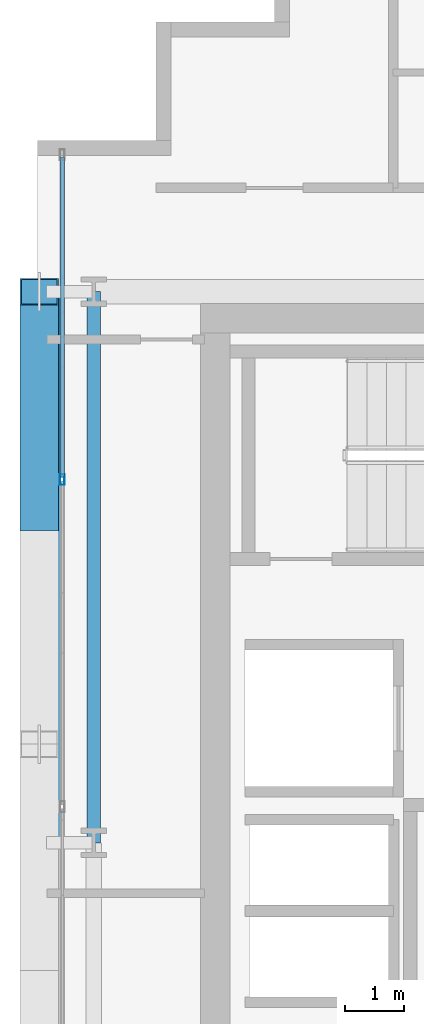
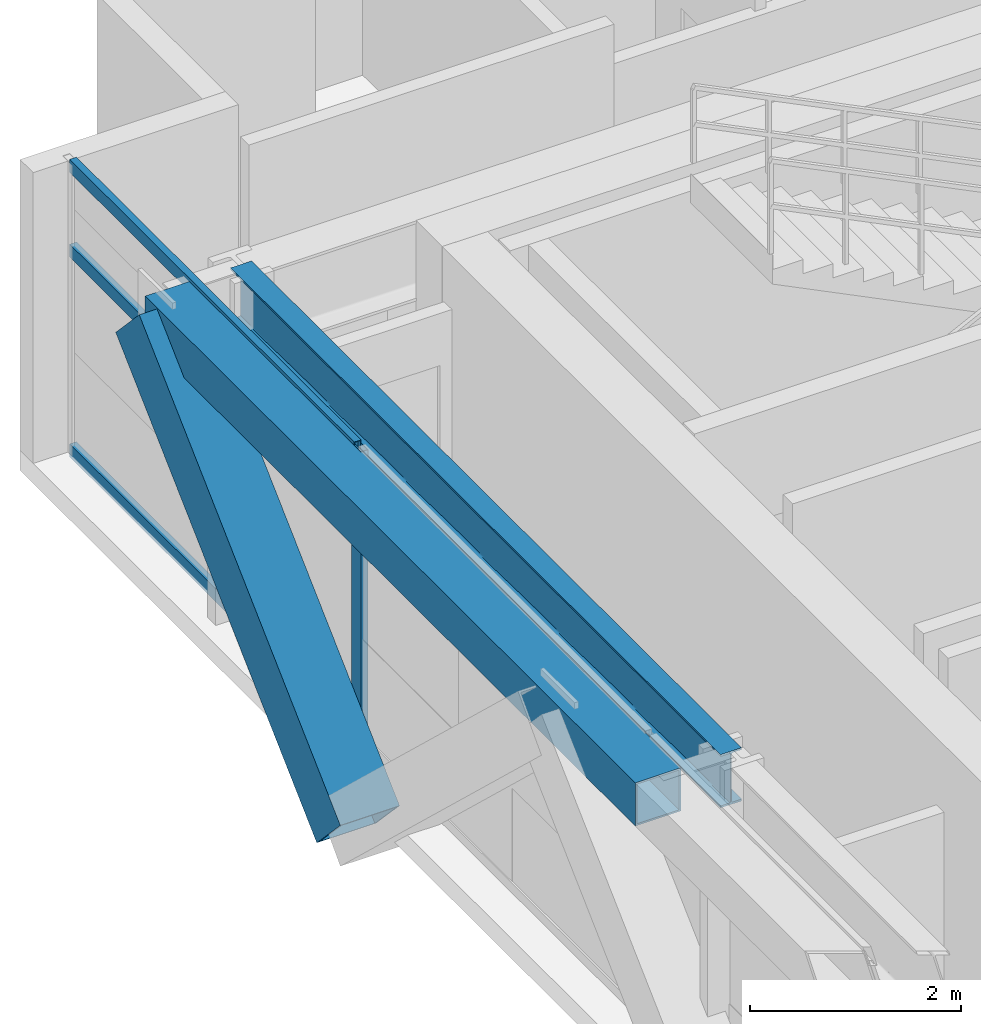
# One storey, part 8 of 32: 5 members, 2 beams, 1 element without a shape of its own.
"""IFC4 building model written with IfcOpenShell, lengths in metres."""

from ifc_helpers import new_model, si_unit, direction, frame, origin, origin_2d, place, context, subcontext, project, spatial, hollow_rectangle, i_section, extrude, source, transform, mapped, material, layer, layer_set, material_profile, profile_set, type_object, element, aggregate, save


model = new_model("IFC4")

# Units and contexts
model_context = context("Model", 3, precision=1e-05, world=origin(), true_north=direction((0.0, 1.0)))
body_context = subcontext(model_context, "Body", "Model", "MODEL_VIEW")
ifc_project = project(units=[si_unit("LENGTHUNIT", "METRE"), si_unit("AREAUNIT", "SQUARE_METRE"), si_unit("VOLUMEUNIT", "CUBIC_METRE"), si_unit("PLANEANGLEUNIT", "RADIAN"), si_unit("MASSUNIT", "GRAM", prefix="KILO")], contexts=[model_context])

# Site, building, storey
site_placement = place(None, origin())
site = spatial("IfcSite", under=ifc_project, at=site_placement, CompositionType="ELEMENT")
building_placement = place(site_placement, origin())
building = spatial("IfcBuilding", under=site, at=building_placement, Name="Ocotamira Hotel", CompositionType="ELEMENT")
storey_placement = place(building_placement, frame((0.0, 0.0, 206.39990234375)))
storey = spatial("IfcBuildingStorey", under=building, at=storey_placement, Name="L52", CompositionType="ELEMENT", Elevation=206.39990234375)

# Beams
ifc_material_1 = material(Name="Steel ASTM A992 Grade 50", Category="steel")
ifc_material_profile_1 = material_profile(ifc_material_1, i_section(OverallWidth=0.22998046875, OverallDepth=0.616943359375, WebThickness=0.01318359375, FlangeThickness=0.022216796875, FilletRadius=0.012939453125, at=origin_2d()), Name="W24X94")
ifc_profile_set_1 = profile_set([ifc_material_profile_1], Name="Steel ASTM A992 Grade 50")
beam_type_1 = type_object("IfcBeamType", Name="BM-PRIM-W24X94", PredefinedType="BEAM", material=ifc_profile_set_1)
shared_shape_1 = source(origin(), body_context, "Body", "SweptSolid", [
    extrude(i_section(OverallWidth=0.22998046875, OverallDepth=0.616943359375, WebThickness=0.01318359375, FlangeThickness=0.022216796875, FilletRadius=0.012939453125, at=origin_2d()), origin(), (0.0, 0.0, 1.0), 9.300048828125),
])
beam_1_placement = place(storey_placement, frame((8.949951171875, 28.14990234375, 3.0615234375), z_axis=(0.0, 1.0, 0.0), x_axis=(-1.0, 0.0, 0.0)))
element("IfcBeam", 1, at=beam_1_placement, inside=storey, type_object=beam_type_1, Name="L52 Beam X8.95 Y28.15-37.45", PredefinedType="BEAM", context=body_context, shape_type="MappedRepresentation", body=[
    mapped(shared_shape_1, transform((0.0, 0.0, 0.0), scale=1.0)),
])
ifc_material_2 = material(Name="Steel ASTM A500 Grade C", Category="steel")
ifc_material_profile_2 = material_profile(ifc_material_2, hollow_rectangle(XDim=0.5, YDim=0.5, WallThickness=0.02001953125, at=origin_2d()), Name="HSS500X500X20")
ifc_profile_set_2 = profile_set([ifc_material_profile_2], Name="Steel ASTM A500 Grade C")
beam_type_2 = type_object("IfcBeamType", Name="BM-SPAN-HSS500", PredefinedType="USERDEFINED", material=ifc_profile_set_2)
shared_shape_2 = source(origin(), body_context, "Body", "SweptSolid", [
    extrude(hollow_rectangle(XDim=0.5, YDim=0.5, WallThickness=0.02001953125, at=origin_2d()), origin(), (0.0, 0.0, 1.0), 9.300048828125),
])
beam_2_placement = place(storey_placement, frame((8.14990234375, 28.14990234375, 3.1201171875), z_axis=(0.0, 1.0, 0.0), x_axis=(-1.0, 0.0, 0.0)))
element("IfcBeam", 2, at=beam_2_placement, inside=storey, type_object=beam_type_2, Name="L52 Edge Spandrel W Y28.15-37.45", ObjectType="SPANDREL", PredefinedType="USERDEFINED", context=body_context, shape_type="MappedRepresentation", body=[
    mapped(shared_shape_2, transform((0.0, 0.0, 0.0), scale=1.0)),
])

# Member
ifc_material_3 = material(Name="Pale-metal coated steel ASTM A913 Grade 65", Category="steel")
ifc_material_profile_3 = material_profile(ifc_material_3, hollow_rectangle(XDim=0.64990234375, YDim=0.64990234375, WallThickness=0.02197265625, at=origin_2d()), Name="BOX650X650X22")
ifc_profile_set_3 = profile_set([ifc_material_profile_3], Name="Pale-metal coated steel ASTM A913 Grade 65")
member_type_1 = type_object("IfcMemberType", Name="MEM-EXO-BOX650", PredefinedType="BRACE", material=ifc_profile_set_3)
shared_shape_3 = source(origin(), body_context, "Body", "SweptSolid", [
    extrude(hollow_rectangle(XDim=0.64990234375, YDim=0.64990234375, WallThickness=0.02197265625, at=origin_2d()), origin(), (0.0, 0.0, 1.0), 5.24658203125),
])
member_1_placement = place(storey_placement, frame((8.030029296875, 33.63330078125, -0.47998046875), z_axis=(0.0, 0.727442733726, 0.686168397078), x_axis=(-1.0, 0.0, 0.0)))
element("IfcMember", 3, at=member_1_placement, inside=storey, type_object=member_type_1, Name="L52 Exoskeleton Diagrid W2.2", PredefinedType="BRACE", context=body_context, shape_type="MappedRepresentation", body=[
    mapped(shared_shape_3, transform((0.0, 0.0, 0.0), scale=1.0)),
])

# Curtain wall, members
ifc_material_4 = material(Name="Anodised pale-metal aluminium and solar glass", Category="aluminium")
ifc_layer = layer(ifc_material_4, 0.199951171875)
ifc_layer_set = layer_set([ifc_layer], Name="Anodised pale-metal aluminium and solar glass")
curtain_wall_type = type_object("IfcCurtainWallType", Name="CW-SYS4-Z3", PredefinedType="NOTDEFINED", material=ifc_layer_set)
curtain_wall_placement = place(storey_placement, origin())
curtain_wall = element("IfcCurtainWall", 4, at=curtain_wall_placement, inside=storey, type_object=curtain_wall_type, Name="L52 Curtain Wall CW-4 CW-L52-W", PredefinedType="NOTDEFINED")
ifc_material_5 = material(Name="Anodised pale-metal aluminium 6063-T6", Category="aluminium")
ifc_material_profile_4 = material_profile(ifc_material_5, hollow_rectangle(XDim=0.080078125, YDim=0.179931640625, WallThickness=0.006103515625, at=origin_2d()), Name="HSS180X80X6")
ifc_profile_set_4 = profile_set([ifc_material_profile_4], Name="Anodised pale-metal aluminium 6063-T6")
member_type_2 = type_object("IfcMemberType", Name="CWM-180X75", PredefinedType="MULLION", material=ifc_profile_set_4)
shared_shape_4 = source(origin(), body_context, "Body", "SweptSolid", [
    extrude(hollow_rectangle(XDim=0.080078125, YDim=0.179931640625, WallThickness=0.006103515625, at=origin_2d()), origin(), (0.0, 0.0, 1.0), 3.3701171875),
])
member_2_placement = place(storey_placement, frame((8.419921875, 34.280029296875, 0.0), z_axis=(0.0, 0.0, 1.0), x_axis=(-1.0, 0.0, 0.0)))
member_2 = element("IfcMember", 5, at=member_2_placement, type_object=member_type_2, Name="CW-4 mullion 5", PredefinedType="MULLION", context=body_context, shape_type="MappedRepresentation", body=[
    mapped(shared_shape_4, transform((0.0, 0.0, 0.0), scale=1.0)),
])
ifc_material_profile_5 = material_profile(ifc_material_5, hollow_rectangle(XDim=0.074951171875, YDim=0.14990234375, WallThickness=0.006103515625, at=origin_2d()), Name="HSS150X75X6")
ifc_profile_set_5 = profile_set([ifc_material_profile_5], Name="Anodised pale-metal aluminium 6063-T6")
member_type_3 = type_object("IfcMemberType", Name="CWT-150X75", PredefinedType="USERDEFINED", material=ifc_profile_set_5)
shared_shape_5 = source(origin(), body_context, "Body", "SweptSolid", [
    extrude(hollow_rectangle(XDim=0.074951171875, YDim=0.14990234375, WallThickness=0.006103515625, at=origin_2d()), origin(), (0.0, 0.0, 1.0), 5.39990234375),
])
member_3_placement = place(storey_placement, frame((8.419921875, 34.320068359375, 0.03759765625), z_axis=(0.0, 1.0, 0.0), x_axis=(-1.0, 0.0, 0.0)))
member_3 = element("IfcMember", 6, at=member_3_placement, type_object=member_type_3, Name="CW-4 transom 5.1", ObjectType="TRANSOM", PredefinedType="USERDEFINED", context=body_context, shape_type="MappedRepresentation", body=[
    mapped(shared_shape_5, transform((0.0, 0.0, 0.0), scale=1.0)),
])
member_4_placement = place(storey_placement, frame((8.419921875, 34.320068359375, 2.35009765625), z_axis=(0.0, 1.0, 0.0), x_axis=(-1.0, 0.0, 0.0)))
member_4 = element("IfcMember", 7, at=member_4_placement, type_object=member_type_3, Name="CW-4 transom 5.2", ObjectType="TRANSOM", PredefinedType="USERDEFINED", context=body_context, shape_type="MappedRepresentation", body=[
    mapped(shared_shape_5, transform((0.0, 0.0, 0.0), scale=1.0)),
])
member_5_placement = place(storey_placement, frame((8.419921875, 34.320068359375, 3.33251953125), z_axis=(0.0, 1.0, 0.0), x_axis=(-1.0, 0.0, 0.0)))
member_5 = element("IfcMember", 8, at=member_5_placement, type_object=member_type_3, Name="CW-4 transom 5.3", ObjectType="TRANSOM", PredefinedType="USERDEFINED", context=body_context, shape_type="MappedRepresentation", body=[
    mapped(shared_shape_5, transform((0.0, 0.0, 0.0), scale=1.0)),
])
aggregate(curtain_wall, [member_2, member_3, member_4, member_5])

save(model, "model.ifc")
